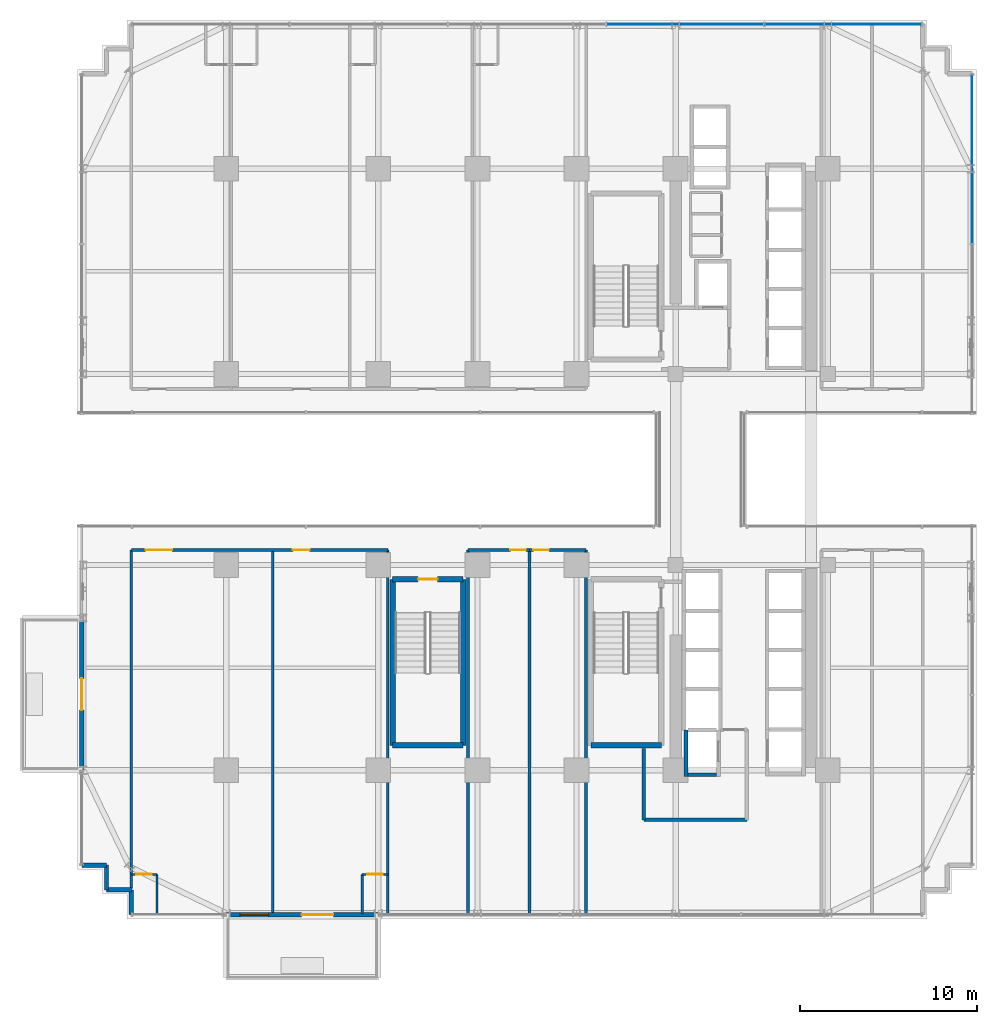
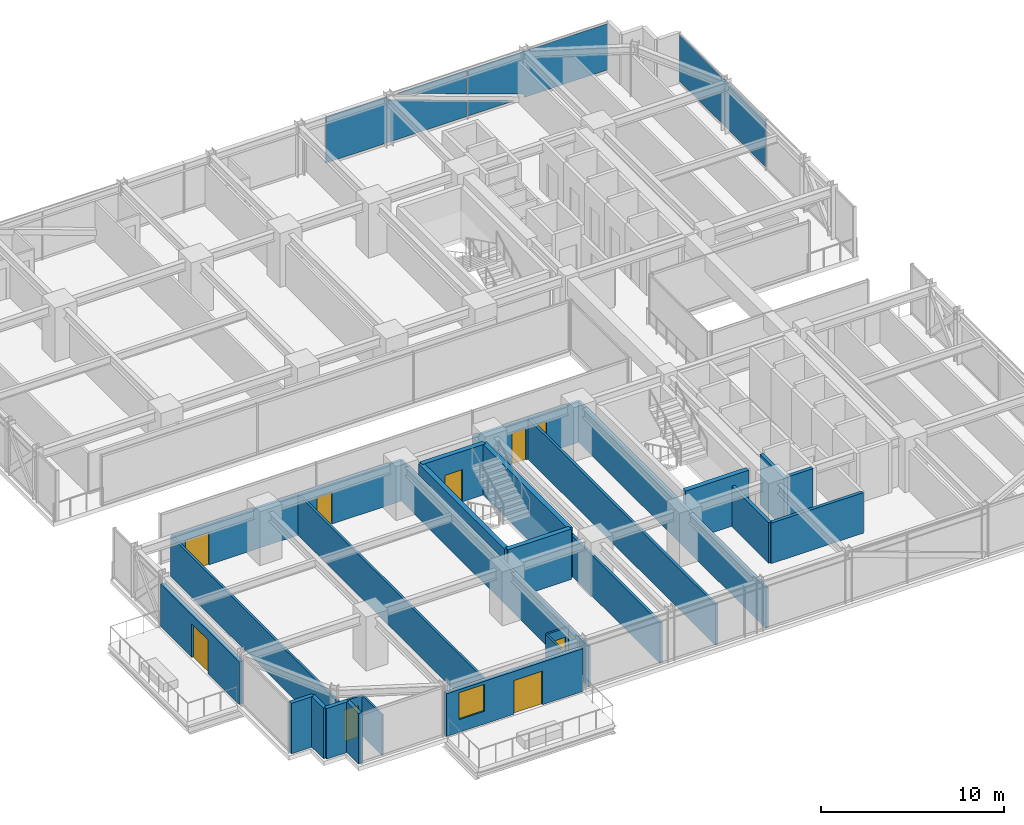
# One storey, part 31 of 37: 28 walls, 9 doors, 3 plates, 1 window, 10 openings, 2 elements without a shape of their own.
"""IFC4 building model written with IfcOpenShell, lengths in metres."""

from ifc_helpers import new_model, si_unit, direction, frame, frame_2d, origin, origin_2d, place, context, subcontext, project, spatial, polyline, rectangle, outline, extrude, source, transform, mapped, material, layer, layer_set, type_object, element, fill, aggregate, save


model = new_model("IFC4")

# Units and contexts
model_context = context("Model", 3, precision=1e-05, world=origin(), true_north=direction((0.0, 1.0)))
body_context = subcontext(model_context, "Body", "Model", "MODEL_VIEW")
ifc_project = project(units=[si_unit("LENGTHUNIT", "METRE"), si_unit("AREAUNIT", "SQUARE_METRE"), si_unit("VOLUMEUNIT", "CUBIC_METRE"), si_unit("PLANEANGLEUNIT", "RADIAN"), si_unit("MASSUNIT", "GRAM", prefix="KILO")], contexts=[model_context])

# Site, building, storey
site_placement = place(None, origin())
site = spatial("IfcSite", under=ifc_project, at=site_placement, CompositionType="ELEMENT")
building_placement = place(site_placement, origin())
building = spatial("IfcBuilding", under=site, at=building_placement, Name="Nahalor Promenade Grand Hotel", CompositionType="ELEMENT")
storey_placement = place(building_placement, frame((0.0, 0.0, 65.25)))
storey = spatial("IfcBuildingStorey", under=building, at=storey_placement, Name="L15", CompositionType="ELEMENT", Elevation=65.25)

# Curtain wall, plates
ifc_material_1 = material(Name="Anodised Bronze Aluminium EN AW-6063 T6", Category="aluminium")
curtain_wall_type = type_object("IfcCurtainWallType", Name="CW3 Elliptical-Void Collar Unitised Curtain Wall", PredefinedType="USERDEFINED", material=ifc_material_1)
curtain_wall_1_placement = place(storey_placement, origin())
curtain_wall_1 = element("IfcCurtainWall", 1, at=curtain_wall_1_placement, inside=storey, type_object=curtain_wall_type, Name="L15 Curtain Wall CW-L15-N-1", ObjectType="UNITISED_CURTAIN_WALL", PredefinedType="USERDEFINED")
ifc_material_2 = material(Name="Low-E Laminated Solar Glass", Category="glass")
ifc_layer_1 = layer(ifc_material_2, 0.030029296875)
ifc_layer_set_1 = layer_set([ifc_layer_1], Name="Low-E Laminated Solar Glass")
plate_type = type_object("IfcPlateType", Name="CWP3 High-Wind Laminated Bronze IGU 30mm", PredefinedType="CURTAIN_PANEL", material=ifc_layer_set_1)
plate_1_placement = place(storey_placement, frame((8.944091796875, 25.159912109375, 0.14013671875), z_axis=(0.0, 0.0, 1.0), x_axis=(1.0, 0.0, 0.0)))
plate_1 = element("IfcPlate", 2, at=plate_1_placement, type_object=plate_type, Name="CW-L15-N-1 Glazing Panel 3-0", PredefinedType="CURTAIN_PANEL", context=body_context, shape_type="SweptSolid", body=[
    extrude(outline(polyline([(-4.43701171875, 0.0), (4.43701171875, 0.0), (4.43701171875, 1.089599609375), (-0.634765625, 2.900146484375), (-0.56689453125, 3.090087890625), (-4.43701171875, 3.090087890625), (-4.43701171875, 0.0)])), frame((0.0, 0.01513671875, 0.0), z_axis=(0.0, -1.0, 0.0), x_axis=(1.0, 0.0, 0.0)), (0.0, 0.0, 1.0), 0.030029296875),
    extrude(outline(polyline([(4.43701171875, 1.51416015625), (4.43701171875, 3.090087890625), (0.02294921875, 3.090087890625), (4.43701171875, 1.51416015625)])), frame((0.0, 0.01513671875, 0.0), z_axis=(0.0, -1.0, 0.0), x_axis=(1.0, 0.0, 0.0)), (0.0, 0.0, 1.0), 0.030029296875),
])
plate_2_placement = place(storey_placement, frame((17.87060546875, 25.159912109375, 0.14013671875), z_axis=(0.0, 0.0, 1.0), x_axis=(1.0, 0.0, 0.0)))
plate_2 = element("IfcPlate", 3, at=plate_2_placement, type_object=plate_type, Name="CW-L15-N-1 Glazing Panel 4-0", PredefinedType="CURTAIN_PANEL", context=body_context, shape_type="SweptSolid", body=[
    extrude(outline(polyline([(4.41943359375, 3.090087890625), (-4.41943359375, 3.090087890625), (-4.41943359375, 1.4892578125), (-0.77978515625, 0.18994140625), (-0.847412109375, 0.0), (4.41943359375, 0.0), (4.41943359375, 3.090087890625)])), frame((0.0, 0.01513671875, 0.0), z_axis=(0.0, -1.0, 0.0), x_axis=(1.0, 0.0, 0.0)), (0.0, 0.0, 1.0), 0.030029296875),
    extrude(outline(polyline([(-4.41943359375, 1.064453125), (-4.41943359375, 0.0), (-1.437255859375, 0.0), (-4.41943359375, 1.064453125)])), frame((0.0, 0.01513671875, 0.0), z_axis=(0.0, -1.0, 0.0), x_axis=(1.0, 0.0, 0.0)), (0.0, 0.0, 1.0), 0.030029296875),
])
aggregate(curtain_wall_1, [plate_1, plate_2])

# Curtain wall, plate
curtain_wall_2_placement = place(storey_placement, origin())
curtain_wall_2 = element("IfcCurtainWall", 4, at=curtain_wall_2_placement, inside=storey, type_object=curtain_wall_type, Name="L15 Curtain Wall CW-L15-E-2", ObjectType="UNITISED_CURTAIN_WALL", PredefinedType="USERDEFINED")
shared_shape_1 = source(origin(), body_context, "Body", "SweptSolid", [
    extrude(rectangle(XDim=9.52490234375, YDim=0.030029296875, at=origin_2d()), origin(), (0.0, 0.0, 1.0), 3.090087890625),
])
plate_3_placement = place(storey_placement, frame((25.159912109375, 17.527587890625, 0.14013671875), z_axis=(0.0, 0.0, 1.0), x_axis=(0.0, 1.0, 0.0)))
plate_3 = element("IfcPlate", 5, at=plate_3_placement, type_object=plate_type, Name="CW-L15-E-2 Glazing Panel 1-0", PredefinedType="CURTAIN_PANEL", context=body_context, shape_type="MappedRepresentation", body=[
    mapped(shared_shape_1, transform((0.0, 0.0, 0.0), scale=1.0)),
])
aggregate(curtain_wall_2, [plate_3])

# Walls
ifc_material_3 = material(Name="Concrete B-50 (C40/50)", Category="concrete")
ifc_layer_2 = layer(ifc_material_3, 0.300048828125)
ifc_layer_set_2 = layer_set([ifc_layer_2], Name="Concrete B-50 (C40/50)")
wall_type_1 = type_object("IfcWallType", Name="Wall-ShaftShear-300", PredefinedType="SHEAR", material=ifc_layer_set_2)
shared_shape_2 = source(origin(), body_context, "Body", "SweptSolid", [
    extrude(rectangle(XDim=3.97998046875, YDim=0.300048828125, at=frame_2d((1.989990234375, 0.0))), origin(), (0.0, 0.0, 1.0), 3.3701171875),
])
for number, where, z_axis, x_axis, name in (
    (6, (3.610107421875, -15.590087890625, 0.0), (0.0, 0.0, 1.0), (1.0, 0.0, 0.0), "L15 Exit Stair ST2 Shaft Wall S"),
    (7, (-7.590087890625, -15.590087890625, 0.0), (0.0, 0.0, 1.0), (1.0, 0.0, 0.0), "L15 Exit Stair ST3 Shaft Wall S"),
):
    element("IfcWall", number, at=place(storey_placement, frame(where, z_axis=z_axis, x_axis=x_axis)), inside=storey, type_object=wall_type_1, Name=name, PredefinedType="SHEAR", context=body_context, shape_type="MappedRepresentation", body=[
        mapped(shared_shape_2, transform((0.0, 0.0, 0.0), scale=1.0)),
    ])

# Wall, opening, door
wall_1_placement = place(storey_placement, frame((-7.590087890625, -6.2099609375, 0.0), z_axis=(0.0, 0.0, 1.0), x_axis=(1.0, 0.0, 0.0)))
wall_1 = element("IfcWall", 8, at=wall_1_placement, inside=storey, type_object=wall_type_1, Name="L15 Exit Stair ST3 Shaft Wall N", PredefinedType="SHEAR", context=body_context, shape_type="MappedRepresentation", body=[
    mapped(shared_shape_2, transform((0.0, 0.0, 0.0), scale=1.0)),
])
opening_1_placement = place(wall_1_placement, frame((1.43994140625, 0.0, 0.0)))
opening_1 = element("IfcOpeningElement", 9, at=opening_1_placement, cuts=wall_1, Name="Opening D-ST1", PredefinedType="OPENING", context=body_context, shape_type="SweptSolid", body=[
    extrude(rectangle(XDim=1.10009765625, YDim=2.14990234375, at=frame_2d((0.550048828125, 1.074951171875))), frame((0.0, 0.159912109375, 0.0), z_axis=(0.0, -1.0, 0.0), x_axis=(1.0, 0.0, 0.0)), (0.0, 0.0, 1.0), 0.320068359375),
])
ifc_material_4 = material(Name="Steel S355JR", Category="steel")
door_type_1 = type_object("IfcDoorType", Name="Door-StairFire-1100", OperationType="NOTDEFINED", PredefinedType="DOOR", material=ifc_material_4)
shared_shape_3 = source(origin(), body_context, "Body", "SweptSolid", [
    extrude(rectangle(XDim=1.10009765625, YDim=2.14990234375, at=frame_2d((0.550048828125, 1.074951171875))), frame((0.0, 0.02490234375, 0.0), z_axis=(0.0, -1.0, 0.0), x_axis=(1.0, 0.0, 0.0)), (0.0, 0.0, 1.0), 0.050048828125),
])
door_1_placement = place(opening_1_placement, frame((1.10009765625, 0.0, 0.0), z_axis=(0.0, 0.0, 1.0), x_axis=(-1.0, 0.0, 0.0)))
door_1 = element("IfcDoor", 10, at=door_1_placement, inside=storey, type_object=door_type_1, Name="DR-STAIR-ST3-L15", OperationType="SINGLE_SWING_RIGHT", OverallHeight=2.14990234375, OverallWidth=1.10009765625, PredefinedType="DOOR", context=body_context, shape_type="MappedRepresentation", body=[
    mapped(shared_shape_3, transform((0.0, 0.0, 0.0), scale=1.0)),
])
fill(opening_1, door_1)

# Walls
shared_shape_4 = source(origin(), body_context, "Body", "SweptSolid", [
    extrude(rectangle(XDim=9.380126953125, YDim=0.300048828125, at=frame_2d((4.68994140625, 0.0))), origin(), (0.0, 0.0, 1.0), 3.3701171875),
])
for number, where, z_axis, x_axis, name in (
    (11, (-7.590087890625, -15.590087890625, 0.0), (0.0, 0.0, 1.0), (0.0, 1.0, 0.0), "L15 Exit Stair ST3 Shaft Wall W"),
    (12, (-3.610107421875, -15.590087890625, 0.0), (0.0, 0.0, 1.0), (0.0, 1.0, 0.0), "L15 Exit Stair ST3 Shaft Wall E"),
):
    element("IfcWall", number, at=place(storey_placement, frame(where, z_axis=z_axis, x_axis=x_axis)), inside=storey, type_object=wall_type_1, Name=name, PredefinedType="SHEAR", context=body_context, shape_type="MappedRepresentation", body=[
        mapped(shared_shape_4, transform((0.0, 0.0, 0.0), scale=1.0)),
    ])
ifc_layer_3 = layer(ifc_material_3, 0.219970703125)
ifc_layer_set_3 = layer_set([ifc_layer_3], Name="Concrete B-50 (C40/50)")
wall_type_2 = type_object("IfcWallType", Name="Wall-LiftShaft-220", PredefinedType="SHEAR", material=ifc_layer_set_3)
shared_shape_5 = source(origin(), body_context, "Body", "SweptSolid", [
    extrude(rectangle(XDim=2.635009765625, YDim=0.219970703125, at=frame_2d((1.3173828125, 0.0))), origin(), (0.0, 0.0, 1.0), 3.3701171875),
])
wall_2_placement = place(storey_placement, frame((8.97998046875, -17.360107421875, 0.0), z_axis=(0.0, 0.0, 1.0), x_axis=(0.0, 1.0, 0.0)))
element("IfcWall", 13, at=wall_2_placement, inside=storey, type_object=wall_type_2, Name="L15 Lift FL2 Hoistway Wall W", PredefinedType="SHEAR", context=body_context, shape_type="MappedRepresentation", body=[
    mapped(shared_shape_5, transform((0.0, 0.0, 0.0), scale=1.0)),
])
shared_shape_6 = source(origin(), body_context, "Body", "SweptSolid", [
    extrude(rectangle(XDim=1.619873046875, YDim=0.219970703125, at=frame_2d((0.81005859375, 0.0))), origin(), (0.0, 0.0, 1.0), 3.3701171875),
])
wall_3_placement = place(storey_placement, frame((9.090087890625, -17.25, 0.0), z_axis=(0.0, 0.0, 1.0), x_axis=(1.0, 0.0, 0.0)))
element("IfcWall", 14, at=wall_3_placement, inside=storey, type_object=wall_type_2, Name="L15 Lift FL2 Hoistway Wall S", PredefinedType="SHEAR", context=body_context, shape_type="MappedRepresentation", body=[
    mapped(shared_shape_6, transform((0.0, 0.0, 0.0), scale=1.0)),
])
ifc_material_5 = material(Name="Concrete B-40 (C32/40)", Category="concrete")
ifc_layer_4 = layer(ifc_material_5, 0.25)
ifc_layer_set_4 = layer_set([ifc_layer_4], Name="Concrete B-40 (C32/40)")
wall_type_3 = type_object("IfcWallType", Name="Wall-BronzePier-250", PredefinedType="STANDARD", material=ifc_layer_set_4)
shared_shape_7 = source(origin(), body_context, "Body", "SweptSolid", [
    extrude(rectangle(XDim=1.39990234375, YDim=0.25, at=frame_2d((0.699951171875, 0.0))), origin(), (0.0, 0.0, 1.0), 3.3701171875),
])
for number, where, z_axis, x_axis, name in (
    (15, (-25.159912109375, -22.360107421875, 0.0), (0.0, 0.0, 1.0), (1.0, 0.0, 0.0), "W-L15-SR-13"),
    (16, (-23.760009765625, -23.760009765625, 0.0), (0.0, 0.0, 1.0), (0.0, 1.0, 0.0), "W-L15-SR-14"),
    (17, (-23.760009765625, -23.760009765625, 0.0), (0.0, 0.0, 1.0), (1.0, 0.0, 0.0), "W-L15-SR-15"),
    (18, (-22.360107421875, -25.159912109375, 0.0), (0.0, 0.0, 1.0), (0.0, 1.0, 0.0), "W-L15-SR-16"),
):
    element("IfcWall", number, at=place(storey_placement, frame(where, z_axis=z_axis, x_axis=x_axis)), inside=storey, type_object=wall_type_3, Name=name, PredefinedType="STANDARD", context=body_context, shape_type="MappedRepresentation", body=[
        mapped(shared_shape_7, transform((0.0, 0.0, 0.0), scale=1.0)),
    ])

# Wall, openings, door, window
ifc_layer_5 = layer(ifc_material_5, 0.260009765625)
ifc_layer_set_5 = layer_set([ifc_layer_5], Name="Concrete B-40 (C32/40)")
wall_type_4 = type_object("IfcWallType", Name="Wall-BalconyWall-260", PredefinedType="STANDARD", material=ifc_layer_set_5)
shared_shape_8 = source(origin(), body_context, "Body", "SweptSolid", [
    extrude(rectangle(XDim=8.60009765625, YDim=0.260009765625, at=frame_2d((4.300048828125, 0.0))), origin(), (0.0, 0.0, 1.0), 2.85009765625),
])
wall_4_placement = place(storey_placement, frame((-17.0, -25.159912109375, 0.0), z_axis=(0.0, 0.0, 1.0), x_axis=(1.0, 0.0, 0.0)))
wall_4 = element("IfcWall", 19, at=wall_4_placement, inside=storey, type_object=wall_type_4, Name="W-L15-BALC-S-2", PredefinedType="STANDARD", context=body_context, shape_type="MappedRepresentation", body=[
    mapped(shared_shape_8, transform((0.0, 0.0, 0.0), scale=1.0)),
])
opening_2_placement = place(wall_4_placement, frame((4.264892578125, 0.0, 0.0)))
opening_2 = element("IfcOpeningElement", 20, at=opening_2_placement, cuts=wall_4, Name="Opening D-BC1", PredefinedType="OPENING", context=body_context, shape_type="SweptSolid", body=[
    extrude(rectangle(XDim=1.800048828125, YDim=2.25, at=frame_2d((0.89990234375, 1.125))), frame((0.0, 0.139892578125, 0.0), z_axis=(0.0, -1.0, 0.0), x_axis=(1.0, 0.0, 0.0)), (0.0, 0.0, 1.0), 0.280029296875),
])
opening_3_placement = place(wall_4_placement, frame((0.794921875, 0.0, 0.85009765625)))
opening_3 = element("IfcOpeningElement", 21, at=opening_3_placement, cuts=wall_4, Name="Opening WN-03", PredefinedType="OPENING", context=body_context, shape_type="SweptSolid", body=[
    extrude(rectangle(XDim=1.60009765625, YDim=1.800048828125, at=frame_2d((0.800048828125, 0.89990234375))), frame((0.0, 0.139892578125, 0.0), z_axis=(0.0, -1.0, 0.0), x_axis=(1.0, 0.0, 0.0)), (0.0, 0.0, 1.0), 0.280029296875),
])
door_type_2 = type_object("IfcDoorType", Name="Door-BalconySlide-1800", OperationType="DOUBLE_DOOR_SLIDING", PredefinedType="DOOR", material=ifc_material_1)
shared_shape_9 = source(origin(), body_context, "Body", "SweptSolid", [
    extrude(rectangle(XDim=1.800048828125, YDim=2.25, at=frame_2d((0.89990234375, 1.125))), frame((0.0, 0.02490234375, 0.0), z_axis=(0.0, -1.0, 0.0), x_axis=(1.0, 0.0, 0.0)), (0.0, 0.0, 1.0), 0.050048828125),
])
door_2_placement = place(opening_2_placement, frame((1.800048828125, 0.0, 0.0), z_axis=(0.0, 0.0, 1.0), x_axis=(-1.0, 0.0, 0.0)))
door_2 = element("IfcDoor", 22, at=door_2_placement, inside=storey, type_object=door_type_2, Name="DR-L15-BALC-S-2", OperationType="DOUBLE_DOOR_SLIDING", OverallHeight=2.25, OverallWidth=1.800048828125, PredefinedType="DOOR", context=body_context, shape_type="MappedRepresentation", body=[
    mapped(shared_shape_9, transform((0.0, 0.0, 0.0), scale=1.0)),
])
fill(opening_2, door_2)
window_type = type_object("IfcWindowType", Name="Win-CrownVented-1600x1800", PartitioningType="SINGLE_PANEL", PredefinedType="WINDOW", material=ifc_material_2)
shared_shape_10 = source(origin(), body_context, "Body", "SweptSolid", [
    extrude(rectangle(XDim=1.60009765625, YDim=1.800048828125, at=frame_2d((0.800048828125, 0.89990234375))), frame((0.0, 0.030029296875, 0.0), z_axis=(0.0, -1.0, 0.0), x_axis=(1.0, 0.0, 0.0)), (0.0, 0.0, 1.0), 0.06005859375),
])
window_placement = place(opening_3_placement, origin())
window = element("IfcWindow", 23, at=window_placement, inside=storey, type_object=window_type, Name="WN-L15-BALC-S-2-1", OverallHeight=1.800048828125, OverallWidth=1.60009765625, PartitioningType="SINGLE_PANEL", PredefinedType="WINDOW", context=body_context, shape_type="MappedRepresentation", body=[
    mapped(shared_shape_10, transform((0.0, 0.0, 0.0), scale=1.0)),
])
fill(opening_3, window)

# Wall, opening, door
wall_5_placement = place(storey_placement, frame((-25.159912109375, -17.0, 0.0), z_axis=(0.0, 0.0, 1.0), x_axis=(0.0, 1.0, 0.0)))
wall_5 = element("IfcWall", 24, at=wall_5_placement, inside=storey, type_object=wall_type_4, Name="W-L15-BALC-W-2", PredefinedType="STANDARD", context=body_context, shape_type="MappedRepresentation", body=[
    mapped(shared_shape_8, transform((0.0, 0.0, 0.0), scale=1.0)),
])
opening_4_placement = place(wall_5_placement, frame((3.39990234375, 0.0, 0.0)))
opening_4 = element("IfcOpeningElement", 25, at=opening_4_placement, cuts=wall_5, Name="Opening D-BC1", PredefinedType="OPENING", context=body_context, shape_type="SweptSolid", body=[
    extrude(rectangle(XDim=1.800048828125, YDim=2.25, at=frame_2d((0.89990234375, 1.125))), frame((0.0, 0.139892578125, 0.0), z_axis=(0.0, -1.0, 0.0), x_axis=(1.0, 0.0, 0.0)), (0.0, 0.0, 1.0), 0.280029296875),
])
door_3_placement = place(opening_4_placement, origin())
door_3 = element("IfcDoor", 26, at=door_3_placement, inside=storey, type_object=door_type_2, Name="DR-L15-BALC-W-2", OperationType="DOUBLE_DOOR_SLIDING", OverallHeight=2.25, OverallWidth=1.800048828125, PredefinedType="DOOR", context=body_context, shape_type="MappedRepresentation", body=[
    mapped(shared_shape_9, transform((0.0, 0.0, 0.0), scale=1.0)),
])
fill(opening_4, door_3)

# Walls
ifc_layer_6 = layer(ifc_material_5, 0.199951171875)
ifc_layer_set_6 = layer_set([ifc_layer_6], Name="Concrete B-40 (C32/40)")
wall_type_5 = type_object("IfcWallType", Name="Wall-PartFire-200", PredefinedType="PARTITIONING", material=ifc_layer_set_6)
shared_shape_11 = source(origin(), body_context, "Body", "SweptSolid", [
    extrude(rectangle(XDim=5.81982421875, YDim=0.199951171875, at=frame_2d((2.909912109375, 0.0))), origin(), (0.0, 0.0, 1.0), 2.7099609375),
])
wall_6_placement = place(storey_placement, frame((6.60009765625, -19.800048828125, 0.0), z_axis=(0.0, 0.0, 1.0), x_axis=(1.0, 0.0, 0.0)))
element("IfcWall", 27, at=wall_6_placement, inside=storey, type_object=wall_type_5, Name="W-L15-FF2-S1", PredefinedType="PARTITIONING", context=body_context, shape_type="MappedRepresentation", body=[
    mapped(shared_shape_11, transform((0.0, 0.0, 0.0), scale=1.0)),
])
shared_shape_12 = source(origin(), body_context, "Body", "SweptSolid", [
    extrude(rectangle(XDim=4.030029296875, YDim=0.199951171875, at=frame_2d((2.01513671875, 0.0))), origin(), (0.0, 0.0, 1.0), 2.7099609375),
])
wall_7_placement = place(storey_placement, frame((6.60009765625, -19.800048828125, 0.0), z_axis=(0.0, 0.0, 1.0), x_axis=(0.0, 1.0, 0.0)))
element("IfcWall", 28, at=wall_7_placement, inside=storey, type_object=wall_type_5, Name="W-L15-FF2-W1", PredefinedType="PARTITIONING", context=body_context, shape_type="MappedRepresentation", body=[
    mapped(shared_shape_12, transform((0.0, 0.0, 0.0), scale=1.0)),
])
ifc_material_6 = material(Name="Acoustic Mineral Gypsum", Category="gypsum")
ifc_layer_7 = layer(ifc_material_6, 0.159912109375)
ifc_layer_set_7 = layer_set([ifc_layer_7], Name="Acoustic Mineral Gypsum")
wall_type_6 = type_object("IfcWallType", Name="Wall-PartCorridor-160", PredefinedType="PARTITIONING", material=ifc_layer_set_7)
shared_shape_13 = source(origin(), body_context, "Body", "SweptSolid", [
    extrude(rectangle(XDim=20.550048828125, YDim=0.159912109375, at=frame_2d((10.27490234375, 0.0))), origin(), (0.0, 0.0, 1.0), 2.7099609375),
])
for number, where, z_axis, x_axis, name in (
    (29, (-3.340087890625, -25.10009765625, 0.0), (0.0, 0.0, 1.0), (0.0, 1.0, 0.0), "W-L15-SCB1-W"),
    (30, (0.14990234375, -25.10009765625, 0.0), (0.0, 0.0, 1.0), (0.0, 1.0, 0.0), "W-L15-SCB1-E"),
    (31, (3.340087890625, -25.10009765625, 0.0), (0.0, 0.0, 1.0), (0.0, 1.0, 0.0), "W-L15-SCB2-E"),
):
    element("IfcWall", number, at=place(storey_placement, frame(where, z_axis=z_axis, x_axis=x_axis)), inside=storey, type_object=wall_type_6, Name=name, PredefinedType="PARTITIONING", context=body_context, shape_type="MappedRepresentation", body=[
        mapped(shared_shape_13, transform((0.0, 0.0, 0.0), scale=1.0)),
    ])
ifc_layer_8 = layer(ifc_material_6, 0.139892578125)
ifc_layer_set_8 = layer_set([ifc_layer_8], Name="Acoustic Mineral Gypsum")
wall_type_7 = type_object("IfcWallType", Name="Wall-PartSuite-140", PredefinedType="PARTITIONING", material=ifc_layer_set_8)
shared_shape_14 = source(origin(), body_context, "Body", "SweptSolid", [
    extrude(rectangle(XDim=19.1298828125, YDim=0.139892578125, at=frame_2d((9.56494140625, 0.0))), origin(), (0.0, 0.0, 1.0), 2.7099609375),
])
wall_8_placement = place(storey_placement, frame((-22.360107421875, -23.679931640625, 0.0), z_axis=(0.0, 0.0, 1.0), x_axis=(0.0, 1.0, 0.0)))
element("IfcWall", 32, at=wall_8_placement, inside=storey, type_object=wall_type_7, Name="W-L15-SW-ENDW", PredefinedType="PARTITIONING", context=body_context, shape_type="MappedRepresentation", body=[
    mapped(shared_shape_14, transform((0.0, 0.0, 0.0), scale=1.0)),
])
shared_shape_15 = source(origin(), body_context, "Body", "SweptSolid", [
    extrude(rectangle(XDim=20.550048828125, YDim=0.139892578125, at=frame_2d((10.27490234375, 0.0))), origin(), (0.0, 0.0, 1.0), 2.7099609375),
])
for number, where, z_axis, x_axis, name in (
    (33, (-7.860107421875, -25.10009765625, 0.0), (0.0, 0.0, 1.0), (0.0, 1.0, 0.0), "W-L15-SW-ENDE"),
    (34, (-14.360107421875, -25.10009765625, 0.0), (0.0, 0.0, 1.0), (0.0, 1.0, 0.0), "W-L15-SP-1"),
):
    element("IfcWall", number, at=place(storey_placement, frame(where, z_axis=z_axis, x_axis=x_axis)), inside=storey, type_object=wall_type_7, Name=name, PredefinedType="PARTITIONING", context=body_context, shape_type="MappedRepresentation", body=[
        mapped(shared_shape_15, transform((0.0, 0.0, 0.0), scale=1.0)),
    ])

# Wall, opening, door
ifc_layer_9 = layer(ifc_material_6, 0.1201171875)
ifc_layer_set_9 = layer_set([ifc_layer_9], Name="Acoustic Mineral Gypsum")
wall_type_8 = type_object("IfcWallType", Name="Wall-PartBath-120", PredefinedType="PARTITIONING", material=ifc_layer_set_9)
shared_shape_16 = source(origin(), body_context, "Body", "SweptSolid", [
    extrude(rectangle(XDim=1.4501953125, YDim=0.1201171875, at=frame_2d((0.72509765625, 0.0))), origin(), (0.0, 0.0, 1.0), 2.7099609375),
])
wall_9_placement = place(storey_placement, frame((-22.360107421875, -22.8798828125, 0.0), z_axis=(0.0, 0.0, 1.0), x_axis=(1.0, 0.0, 0.0)))
wall_9 = element("IfcWall", 35, at=wall_9_placement, inside=storey, type_object=wall_type_8, Name="W-L15-S1-BH", PredefinedType="PARTITIONING", context=body_context, shape_type="MappedRepresentation", body=[
    mapped(shared_shape_16, transform((0.0, 0.0, 0.0), scale=1.0)),
])
opening_5_placement = place(wall_9_placement, frame((0.284912109375, 0.0, 0.0)))
opening_5 = element("IfcOpeningElement", 36, at=opening_5_placement, cuts=wall_9, Name="Opening D-03", PredefinedType="OPENING", context=body_context, shape_type="SweptSolid", body=[
    extrude(rectangle(XDim=0.8798828125, YDim=2.10009765625, at=frame_2d((0.43994140625, 1.050048828125))), frame((0.0, 0.070068359375, 0.0), z_axis=(0.0, -1.0, 0.0), x_axis=(1.0, 0.0, 0.0)), (0.0, 0.0, 1.0), 0.14013671875),
])
ifc_material_7 = material(Name="Fire-Rated Timber Composite", Category="wood")
door_type_3 = type_object("IfcDoorType", Name="Door-BathSwing-880", OperationType="NOTDEFINED", PredefinedType="DOOR", material=ifc_material_7)
shared_shape_17 = source(origin(), body_context, "Body", "SweptSolid", [
    extrude(rectangle(XDim=0.8798828125, YDim=2.10009765625, at=frame_2d((0.43994140625, 1.050048828125))), frame((0.0, 0.02490234375, 0.0), z_axis=(0.0, -1.0, 0.0), x_axis=(1.0, 0.0, 0.0)), (0.0, 0.0, 1.0), 0.050048828125),
])
door_4_placement = place(opening_5_placement, frame((0.8798828125, 0.0, 0.0), z_axis=(0.0, 0.0, 1.0), x_axis=(-1.0, 0.0, 0.0)))
door_4 = element("IfcDoor", 37, at=door_4_placement, inside=storey, type_object=door_type_3, Name="DR-L15-S1-BATH", OperationType="SINGLE_SWING_RIGHT", OverallHeight=2.10009765625, OverallWidth=0.8798828125, PredefinedType="DOOR", context=body_context, shape_type="MappedRepresentation", body=[
    mapped(shared_shape_17, transform((0.0, 0.0, 0.0), scale=1.0)),
])
fill(opening_5, door_4)

# Walls
shared_shape_18 = source(origin(), body_context, "Body", "SweptSolid", [
    extrude(rectangle(XDim=2.22021484375, YDim=0.1201171875, at=frame_2d((1.110107421875, 0.0))), origin(), (0.0, 0.0, 1.0), 2.7099609375),
])
for number, where, z_axis, x_axis, name in (
    (38, (-20.909912109375, -25.10009765625, 0.0), (0.0, 0.0, 1.0), (0.0, 1.0, 0.0), "W-L15-S1-BV"),
    (39, (-9.31005859375, -25.10009765625, 0.0), (0.0, 0.0, 1.0), (0.0, 1.0, 0.0), "W-L15-S2-BV"),
):
    element("IfcWall", number, at=place(storey_placement, frame(where, z_axis=z_axis, x_axis=x_axis)), inside=storey, type_object=wall_type_8, Name=name, PredefinedType="PARTITIONING", context=body_context, shape_type="MappedRepresentation", body=[
        mapped(shared_shape_18, transform((0.0, 0.0, 0.0), scale=1.0)),
    ])

# Wall, opening, door
shared_shape_19 = source(origin(), body_context, "Body", "SweptSolid", [
    extrude(rectangle(XDim=1.449951171875, YDim=0.1201171875, at=frame_2d((0.72509765625, 0.0))), origin(), (0.0, 0.0, 1.0), 2.7099609375),
])
wall_10_placement = place(storey_placement, frame((-9.31005859375, -22.8798828125, 0.0), z_axis=(0.0, 0.0, 1.0), x_axis=(1.0, 0.0, 0.0)))
wall_10 = element("IfcWall", 40, at=wall_10_placement, inside=storey, type_object=wall_type_8, Name="W-L15-S2-BH", PredefinedType="PARTITIONING", context=body_context, shape_type="MappedRepresentation", body=[
    mapped(shared_shape_19, transform((0.0, 0.0, 0.0), scale=1.0)),
])
opening_6_placement = place(wall_10_placement, frame((0.284912109375, 0.0, 0.0)))
opening_6 = element("IfcOpeningElement", 41, at=opening_6_placement, cuts=wall_10, Name="Opening D-03", PredefinedType="OPENING", context=body_context, shape_type="SweptSolid", body=[
    extrude(rectangle(XDim=0.8798828125, YDim=2.10009765625, at=frame_2d((0.43994140625, 1.050048828125))), frame((0.0, 0.070068359375, 0.0), z_axis=(0.0, -1.0, 0.0), x_axis=(1.0, 0.0, 0.0)), (0.0, 0.0, 1.0), 0.14013671875),
])
door_5_placement = place(opening_6_placement, frame((0.8798828125, 0.0, 0.0), z_axis=(0.0, 0.0, 1.0), x_axis=(-1.0, 0.0, 0.0)))
door_5 = element("IfcDoor", 42, at=door_5_placement, inside=storey, type_object=door_type_3, Name="DR-L15-S2-BATH", OperationType="SINGLE_SWING_LEFT", OverallHeight=2.10009765625, OverallWidth=0.8798828125, PredefinedType="DOOR", context=body_context, shape_type="MappedRepresentation", body=[
    mapped(shared_shape_17, transform((0.0, 0.0, 0.0), scale=1.0)),
])
fill(opening_6, door_5)

# Wall, openings, doors
shared_shape_20 = source(origin(), body_context, "Body", "SweptSolid", [
    extrude(rectangle(XDim=14.5, YDim=0.159912109375, at=frame_2d((7.25, 0.0))), origin(), (0.0, 0.0, 1.0), 2.7099609375),
])
wall_11_placement = place(storey_placement, frame((-22.360107421875, -4.550048828125, 0.0), z_axis=(0.0, 0.0, 1.0), x_axis=(1.0, 0.0, 0.0)))
wall_11 = element("IfcWall", 43, at=wall_11_placement, inside=storey, type_object=wall_type_6, Name="W-L15-CORR-S", PredefinedType="PARTITIONING", context=body_context, shape_type="MappedRepresentation", body=[
    mapped(shared_shape_20, transform((0.0, 0.0, 0.0), scale=1.0)),
])
opening_7_placement = place(wall_11_placement, frame((0.80810546875, 0.0, 0.0)))
opening_7 = element("IfcOpeningElement", 44, at=opening_7_placement, cuts=wall_11, Name="Opening D-02", PredefinedType="OPENING", context=body_context, shape_type="SweptSolid", body=[
    extrude(rectangle(XDim=1.5, YDim=2.14990234375, at=frame_2d((0.75, 1.074951171875))), frame((0.0, 0.08984375, 0.0), z_axis=(0.0, -1.0, 0.0), x_axis=(1.0, 0.0, 0.0)), (0.0, 0.0, 1.0), 0.179931640625),
])
opening_8_placement = place(wall_11_placement, frame((9.1259765625, 0.0, 0.0)))
opening_8 = element("IfcOpeningElement", 45, at=opening_8_placement, cuts=wall_11, Name="Opening D-01", PredefinedType="OPENING", context=body_context, shape_type="SweptSolid", body=[
    extrude(rectangle(XDim=0.949951171875, YDim=2.10009765625, at=frame_2d((0.47509765625, 1.050048828125))), frame((0.0, 0.08984375, 0.0), z_axis=(0.0, -1.0, 0.0), x_axis=(1.0, 0.0, 0.0)), (0.0, 0.0, 1.0), 0.179931640625),
])
door_type_4 = type_object("IfcDoorType", Name="Door-SuiteDouble-1500", OperationType="DOUBLE_DOOR_SINGLE_SWING", PredefinedType="DOOR", material=ifc_material_7)
shared_shape_21 = source(origin(), body_context, "Body", "SweptSolid", [
    extrude(rectangle(XDim=1.5, YDim=2.14990234375, at=frame_2d((0.75, 1.074951171875))), frame((0.0, 0.02490234375, 0.0), z_axis=(0.0, -1.0, 0.0), x_axis=(1.0, 0.0, 0.0)), (0.0, 0.0, 1.0), 0.050048828125),
])
door_6_placement = place(opening_7_placement, frame((1.5, 0.0, 0.0), z_axis=(0.0, 0.0, 1.0), x_axis=(-1.0, 0.0, 0.0)))
door_6 = element("IfcDoor", 46, at=door_6_placement, inside=storey, type_object=door_type_4, Name="DR-L15-S1-ENT", OperationType="DOUBLE_DOOR_SINGLE_SWING", OverallHeight=2.14990234375, OverallWidth=1.5, PredefinedType="DOOR", context=body_context, shape_type="MappedRepresentation", body=[
    mapped(shared_shape_21, transform((0.0, 0.0, 0.0), scale=1.0)),
])
fill(opening_7, door_6)
door_type_5 = type_object("IfcDoorType", Name="Door-GuestEntry-950", OperationType="NOTDEFINED", PredefinedType="DOOR", material=ifc_material_7)
shared_shape_22 = source(origin(), body_context, "Body", "SweptSolid", [
    extrude(rectangle(XDim=0.949951171875, YDim=2.10009765625, at=frame_2d((0.47509765625, 1.050048828125))), frame((0.0, 0.02490234375, 0.0), z_axis=(0.0, -1.0, 0.0), x_axis=(1.0, 0.0, 0.0)), (0.0, 0.0, 1.0), 0.050048828125),
])
door_7_placement = place(opening_8_placement, frame((0.949951171875, 0.0, 0.0), z_axis=(0.0, 0.0, 1.0), x_axis=(-1.0, 0.0, 0.0)))
door_7 = element("IfcDoor", 47, at=door_7_placement, inside=storey, type_object=door_type_5, Name="DR-L15-S2-ENT", OperationType="SINGLE_SWING_RIGHT", OverallHeight=2.10009765625, OverallWidth=0.949951171875, PredefinedType="DOOR", context=body_context, shape_type="MappedRepresentation", body=[
    mapped(shared_shape_22, transform((0.0, 0.0, 0.0), scale=1.0)),
])
fill(opening_8, door_7)

# Wall, opening, door
shared_shape_23 = source(origin(), body_context, "Body", "SweptSolid", [
    extrude(rectangle(XDim=3.489990234375, YDim=0.159912109375, at=frame_2d((1.7451171875, 0.0))), origin(), (0.0, 0.0, 1.0), 2.7099609375),
])
wall_12_placement = place(storey_placement, frame((-3.340087890625, -4.550048828125, 0.0), z_axis=(0.0, 0.0, 1.0), x_axis=(1.0, 0.0, 0.0)))
wall_12 = element("IfcWall", 48, at=wall_12_placement, inside=storey, type_object=wall_type_6, Name="W-L15-SCB1-N", PredefinedType="PARTITIONING", context=body_context, shape_type="MappedRepresentation", body=[
    mapped(shared_shape_23, transform((0.0, 0.0, 0.0), scale=1.0)),
])
opening_9_placement = place(wall_12_placement, frame((2.39990234375, 0.0, 0.0)))
opening_9 = element("IfcOpeningElement", 49, at=opening_9_placement, cuts=wall_12, Name="Opening D-03", PredefinedType="OPENING", context=body_context, shape_type="SweptSolid", body=[
    extrude(rectangle(XDim=0.8798828125, YDim=2.10009765625, at=frame_2d((0.43994140625, 1.050048828125))), frame((0.0, 0.08984375, 0.0), z_axis=(0.0, -1.0, 0.0), x_axis=(1.0, 0.0, 0.0)), (0.0, 0.0, 1.0), 0.179931640625),
])
door_8_placement = place(opening_9_placement, frame((0.8798828125, 0.0, 0.0), z_axis=(0.0, 0.0, 1.0), x_axis=(-1.0, 0.0, 0.0)))
door_8 = element("IfcDoor", 50, at=door_8_placement, inside=storey, type_object=door_type_3, Name="DR-L15-SCB1", OperationType="SINGLE_SWING_LEFT", OverallHeight=2.10009765625, OverallWidth=0.8798828125, PredefinedType="DOOR", context=body_context, shape_type="MappedRepresentation", body=[
    mapped(shared_shape_17, transform((0.0, 0.0, 0.0), scale=1.0)),
])
fill(opening_9, door_8)

shared_shape_24 = source(origin(), body_context, "Body", "SweptSolid", [
    extrude(rectangle(XDim=3.190185546875, YDim=0.159912109375, at=frame_2d((1.59521484375, 0.0))), origin(), (0.0, 0.0, 1.0), 2.7099609375),
])
wall_13_placement = place(storey_placement, frame((0.14990234375, -4.550048828125, 0.0), z_axis=(0.0, 0.0, 1.0), x_axis=(1.0, 0.0, 0.0)))
wall_13 = element("IfcWall", 51, at=wall_13_placement, inside=storey, type_object=wall_type_6, Name="W-L15-SCB2-N", PredefinedType="PARTITIONING", context=body_context, shape_type="MappedRepresentation", body=[
    mapped(shared_shape_24, transform((0.0, 0.0, 0.0), scale=1.0)),
])
opening_10_placement = place(wall_13_placement, frame((0.2099609375, 0.0, 0.0)))
opening_10 = element("IfcOpeningElement", 52, at=opening_10_placement, cuts=wall_13, Name="Opening D-03", PredefinedType="OPENING", context=body_context, shape_type="SweptSolid", body=[
    extrude(rectangle(XDim=0.8798828125, YDim=2.10009765625, at=frame_2d((0.43994140625, 1.050048828125))), frame((0.0, 0.08984375, 0.0), z_axis=(0.0, -1.0, 0.0), x_axis=(1.0, 0.0, 0.0)), (0.0, 0.0, 1.0), 0.179931640625),
])
door_9_placement = place(opening_10_placement, frame((0.8798828125, 0.0, 0.0), z_axis=(0.0, 0.0, 1.0), x_axis=(-1.0, 0.0, 0.0)))
door_9 = element("IfcDoor", 53, at=door_9_placement, inside=storey, type_object=door_type_3, Name="DR-L15-SCB2", OperationType="SINGLE_SWING_RIGHT", OverallHeight=2.10009765625, OverallWidth=0.8798828125, PredefinedType="DOOR", context=body_context, shape_type="MappedRepresentation", body=[
    mapped(shared_shape_17, transform((0.0, 0.0, 0.0), scale=1.0)),
])
fill(opening_10, door_9)

save(model, "model.ifc")
